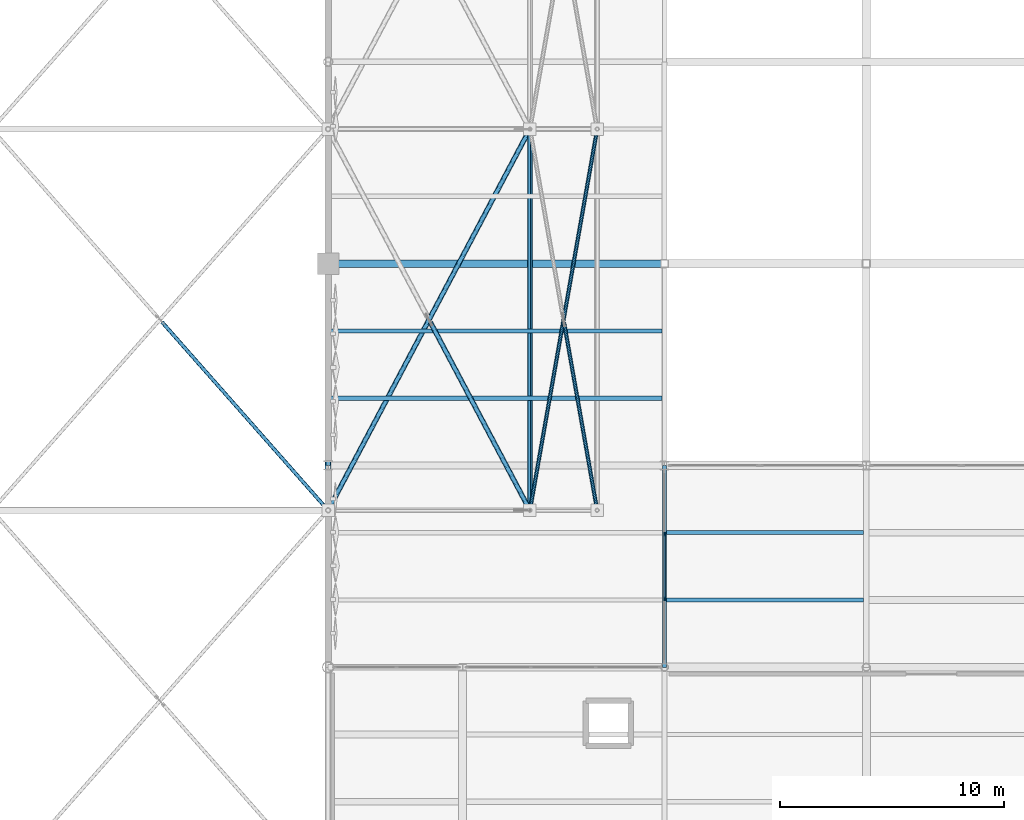
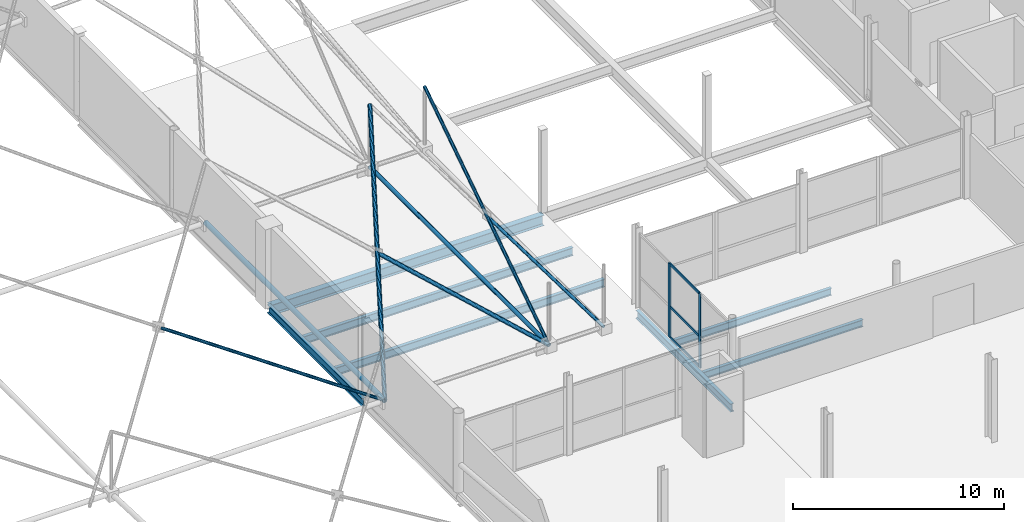
# One storey, part 133 of 224: 12 members, 7 beams, 1 element without a shape of its own.
"""IFC4 building model written with IfcOpenShell, lengths in metres."""

from ifc_helpers import new_model, si_unit, direction, frame, origin, origin_2d, place, context, subcontext, project, spatial, rectangle, hollow_circle, i_section, extrude, material, layer, layer_set, material_profile, profile_set, type_object, element, aggregate, save


model = new_model("IFC4")

# Units and contexts
model_context = context("Model", 3, precision=1e-05, world=origin(), true_north=direction((0.0, 1.0)))
body_context = subcontext(model_context, "Body", "Model", "MODEL_VIEW")
ifc_project = project(units=[si_unit("LENGTHUNIT", "METRE"), si_unit("AREAUNIT", "SQUARE_METRE"), si_unit("VOLUMEUNIT", "CUBIC_METRE"), si_unit("PLANEANGLEUNIT", "RADIAN"), si_unit("MASSUNIT", "GRAM", prefix="KILO")], contexts=[model_context])

# Site, building, storey
site_placement = place(None, origin())
site = spatial("IfcSite", under=ifc_project, at=site_placement, CompositionType="ELEMENT")
building_placement = place(site_placement, origin())
building = spatial("IfcBuilding", under=site, at=building_placement, Name="Qamarlyn Nura Convention Centre", CompositionType="ELEMENT")
storey_placement = place(building_placement, frame((0.0, 0.0, 10.800048828125)))
storey = spatial("IfcBuildingStorey", under=building, at=storey_placement, Name="L02", CompositionType="ELEMENT", Elevation=10.800048828125)

# Beams
ifc_material_1 = material(Name="Steel ASTM A992", Category="steel")
ifc_material_profile_1 = material_profile(ifc_material_1, i_section(OverallWidth=0.323974609375, OverallDepth=0.611083984375, WebThickness=0.0126953125, FlangeThickness=0.01904296875, FilletRadius=0.01611328125, at=origin_2d()), Name="W610X155")
ifc_profile_set_1 = profile_set([ifc_material_profile_1], Name="Steel ASTM A992")
beam_type_1 = type_object("IfcBeamType", Name="BM-GIRD-610", PredefinedType="BEAM", material=ifc_profile_set_1)
beam_placement = place(storey_placement, frame((120.0, 63.0, -0.450439453125), z_axis=(1.0, 0.0, 0.0), x_axis=(0.0, 1.0, 0.0)))
element("IfcBeam", 1, at=beam_placement, inside=storey, type_object=beam_type_1, Name="L02 girder H 9-11", PredefinedType="BEAM", context=body_context, shape_type="SweptSolid", body=[
    extrude(i_section(OverallWidth=0.323974609375, OverallDepth=0.611083984375, WebThickness=0.0126953125, FlangeThickness=0.01904296875, FilletRadius=0.01611328125, at=origin_2d()), origin(), (0.0, 0.0, 1.0), 15.0),
])
ifc_material_profile_2 = material_profile(ifc_material_1, i_section(OverallWidth=0.177978515625, OverallDepth=0.406982421875, WebThickness=0.0078125, FlangeThickness=0.0126953125, FilletRadius=0.011962890625, at=origin_2d()), Name="W410X60")
ifc_profile_set_2 = profile_set([ifc_material_profile_2], Name="Steel ASTM A992")
beam_type_2 = type_object("IfcBeamType", Name="BM-JOIST-410", PredefinedType="JOIST", material=ifc_profile_set_2)
for number, where, z_axis, x_axis, name in (
    (2, (135.096435546875, 48.0, -0.463623046875), (1.0, 0.0, 0.0), (0.0, 1.0, 0.0), "L02 composite joist 11-12/F+1"),
    (3, (135.096435546875, 51.0, -0.463623046875), (1.0, 0.0, 0.0), (0.0, 1.0, 0.0), "L02 composite joist 11-12/F+2"),
):
    element("IfcBeam", number, at=place(storey_placement, frame(where, z_axis=z_axis, x_axis=x_axis)), inside=storey, type_object=beam_type_2, Name=name, PredefinedType="JOIST", context=body_context, shape_type="SweptSolid", body=[
        extrude(i_section(OverallWidth=0.177978515625, OverallDepth=0.406982421875, WebThickness=0.0078125, FlangeThickness=0.0126953125, FilletRadius=0.011962890625, at=origin_2d()), origin(), (0.0, 0.0, 1.0), 8.776611328125),
    ])
ifc_material_profile_3 = material_profile(ifc_material_1, i_section(OverallWidth=0.18994140625, OverallDepth=0.45703125, WebThickness=0.009033203125, FlangeThickness=0.014404296875, FilletRadius=0.012939453125, at=origin_2d()), Name="W460X74")
ifc_profile_set_3 = profile_set([ifc_material_profile_3], Name="Steel ASTM A992")
beam_type_3 = type_object("IfcBeamType", Name="BM-JOIST-460", PredefinedType="JOIST", material=ifc_profile_set_3)
for number, where, z_axis, x_axis, name in (
    (4, (120.096435546875, 57.0, -0.448486328125), (1.0, 0.0, 0.0), (0.0, 1.0, 0.0), "L02 composite joist 9-11/G+1"),
    (5, (120.096435546875, 60.0, -0.448486328125), (1.0, 0.0, 0.0), (0.0, 1.0, 0.0), "L02 composite joist 9-11/G+2"),
):
    element("IfcBeam", number, at=place(storey_placement, frame(where, z_axis=z_axis, x_axis=x_axis)), inside=storey, type_object=beam_type_3, Name=name, PredefinedType="JOIST", context=body_context, shape_type="SweptSolid", body=[
        extrude(i_section(OverallWidth=0.18994140625, OverallDepth=0.45703125, WebThickness=0.009033203125, FlangeThickness=0.014404296875, FilletRadius=0.012939453125, at=origin_2d()), origin(), (0.0, 0.0, 1.0), 14.803466796875),
    ])
ifc_material_profile_4 = material_profile(ifc_material_1, i_section(OverallWidth=0.193115234375, OverallDepth=0.466064453125, WebThickness=0.011474609375, FlangeThickness=0.01904296875, FilletRadius=0.012939453125, at=origin_2d()), Name="W460X97")
ifc_profile_set_4 = profile_set([ifc_material_profile_4], Name="Steel ASTM A992")
beam_type_4 = type_object("IfcBeamType", Name="BM-SPAN-460", PredefinedType="SPANDREL", material=ifc_profile_set_4)
for number, where, z_axis, x_axis, name in (
    (6, (120.0, 54.0, -0.3779296875), (0.0, 1.0, 0.0), (-1.0, 0.0, 0.0), "L02 girder 9 G-H"),
    (7, (135.0, 45.0, -0.4931640625), (0.0, 1.0, 0.0), (-1.0, 0.0, 0.0), "L02 girder 11 F-G"),
):
    element("IfcBeam", number, at=place(storey_placement, frame(where, z_axis=z_axis, x_axis=x_axis)), inside=storey, type_object=beam_type_4, Name=name, PredefinedType="SPANDREL", context=body_context, shape_type="SweptSolid", body=[
        extrude(i_section(OverallWidth=0.193115234375, OverallDepth=0.466064453125, WebThickness=0.011474609375, FlangeThickness=0.01904296875, FilletRadius=0.012939453125, at=origin_2d()), origin(), (0.0, 0.0, 1.0), 9.0),
    ])

# Curtain wall, members
ifc_material_2 = material(Name="Double-silver low-E insulated glass", Category="glass")
ifc_layer = layer(ifc_material_2, 0.179931640625, Name="CW-UNIT-102")
ifc_layer_set = layer_set([ifc_layer], Name="Double-silver low-E insulated glass")
curtain_wall_type = type_object("IfcCurtainWallType", Name="CW-UNIT-102", PredefinedType="NOTDEFINED", material=ifc_layer_set)
curtain_wall_placement = place(storey_placement, origin())
curtain_wall = element("IfcCurtainWall", 8, at=curtain_wall_placement, inside=storey, type_object=curtain_wall_type, Name="L02 unitised curtain wall BLW-N-1", PredefinedType="NOTDEFINED")
ifc_material_3 = material(Name="Champagne-anodised marine aluminium", Category="aluminium")
ifc_material_profile_5 = material_profile(ifc_material_3, rectangle(XDim=0.070068359375, YDim=0.179931640625, at=origin_2d()), Name="ALU MULLION 70x180")
ifc_profile_set_5 = profile_set([ifc_material_profile_5], Name="Champagne-anodised marine aluminium")
member_type_1 = type_object("IfcMemberType", Name="CWM-180", PredefinedType="MULLION", material=ifc_profile_set_5)
member_1_placement = place(storey_placement, frame((135.0, 48.052978515625, 0.0), z_axis=(0.0, 0.0, 1.0), x_axis=(-1.0, 0.0, 0.0)))
member_1 = element("IfcMember", 9, at=member_1_placement, type_object=member_type_1, Name="CW102 mullion 2", PredefinedType="MULLION", context=body_context, shape_type="SweptSolid", body=[
    extrude(rectangle(XDim=0.070068359375, YDim=0.179931640625, at=origin_2d()), origin(), (0.0, 0.0, 1.0), 4.304931640625),
])
member_2_placement = place(storey_placement, frame((135.0, 50.92822265625, 0.0), z_axis=(0.0, 0.0, 1.0), x_axis=(-1.0, 0.0, 0.0)))
member_2 = element("IfcMember", 10, at=member_2_placement, type_object=member_type_1, Name="CW102 mullion 3", PredefinedType="MULLION", context=body_context, shape_type="SweptSolid", body=[
    extrude(rectangle(XDim=0.070068359375, YDim=0.179931640625, at=origin_2d()), origin(), (0.0, 0.0, 1.0), 4.304931640625),
])
ifc_material_profile_6 = material_profile(ifc_material_3, rectangle(XDim=0.070068359375, YDim=0.139892578125, at=origin_2d()), Name="ALU TRANSOM 70x140")
ifc_profile_set_6 = profile_set([ifc_material_profile_6], Name="Champagne-anodised marine aluminium")
member_type_2 = type_object("IfcMemberType", Name="CWT-140", PredefinedType="USERDEFINED", material=ifc_profile_set_6)
member_3_placement = place(storey_placement, frame((135.0, 48.088134765625, 0.034912109375), z_axis=(0.0, 1.0, 0.0), x_axis=(-1.0, 0.0, 0.0)))
member_3 = element("IfcMember", 11, at=member_3_placement, type_object=member_type_2, Name="CW102 transom 2.1", ObjectType="TRANSOM", PredefinedType="USERDEFINED", context=body_context, shape_type="SweptSolid", body=[
    extrude(rectangle(XDim=0.070068359375, YDim=0.139892578125, at=origin_2d()), origin(), (0.0, 0.0, 1.0), 2.80517578125),
])
member_4_placement = place(storey_placement, frame((135.0, 48.088134765625, 1.807861328125), z_axis=(0.0, 1.0, 0.0), x_axis=(-1.0, 0.0, 0.0)))
member_4 = element("IfcMember", 12, at=member_4_placement, type_object=member_type_2, Name="CW102 transom 2.2", ObjectType="TRANSOM", PredefinedType="USERDEFINED", context=body_context, shape_type="SweptSolid", body=[
    extrude(rectangle(XDim=0.070068359375, YDim=0.139892578125, at=origin_2d()), origin(), (0.0, 0.0, 1.0), 2.80517578125),
])
member_5_placement = place(storey_placement, frame((135.0, 48.088134765625, 4.27001953125), z_axis=(0.0, 1.0, 0.0), x_axis=(-1.0, 0.0, 0.0)))
member_5 = element("IfcMember", 13, at=member_5_placement, type_object=member_type_2, Name="CW102 transom 2.3", ObjectType="TRANSOM", PredefinedType="USERDEFINED", context=body_context, shape_type="SweptSolid", body=[
    extrude(rectangle(XDim=0.070068359375, YDim=0.139892578125, at=origin_2d()), origin(), (0.0, 0.0, 1.0), 2.80517578125),
])
aggregate(curtain_wall, [member_1, member_2, member_3, member_4, member_5])

# Members
ifc_material_4 = material(Name="Pearl-white PVDF steel ASTM A500 Grade C", Category="steel")
ifc_material_profile_7 = material_profile(ifc_material_4, hollow_circle(Radius=0.109619140625, WallThickness=0.010009765625, at=origin_2d()), Name="CHS219.1X10")
ifc_profile_set_7 = profile_set([ifc_material_profile_7], Name="Pearl-white PVDF steel ASTM A500 Grade C")
member_type_3 = type_object("IfcMemberType", Name="SF-BC-EAVE", PredefinedType="CHORD", material=ifc_profile_set_7)
member_6_placement = place(storey_placement, frame((129.0, 52.0, 1.005615234375), z_axis=(0.0, 1.0, 0.0), x_axis=(-1.0, 0.0, 0.0)))
element("IfcMember", 14, at=member_6_placement, inside=storey, type_object=member_type_3, Name="ROOF TRUSS space frame bottom chord Y11-4", PredefinedType="CHORD", context=body_context, shape_type="SweptSolid", body=[
    extrude(hollow_circle(Radius=0.109619140625, WallThickness=0.010009765625, at=origin_2d()), origin(), (0.0, 0.0, 1.0), 17.0),
])
ifc_material_profile_8 = material_profile(ifc_material_4, hollow_circle(Radius=0.136474609375, WallThickness=0.012451171875, at=origin_2d()), Name="CHS273X12.5")
ifc_profile_set_8 = profile_set([ifc_material_profile_8], Name="Pearl-white PVDF steel ASTM A500 Grade C")
member_type_4 = type_object("IfcMemberType", Name="SF-BC-MAIN", PredefinedType="CHORD", material=ifc_profile_set_8)
member_7_placement = place(storey_placement, frame((120.0, 52.0, 0.937255859375), z_axis=(0.0, 1.0, 0.0), x_axis=(-1.0, 0.0, 0.0)))
element("IfcMember", 15, at=member_7_placement, inside=storey, type_object=member_type_4, Name="ROOF TRUSS space frame bottom chord Y10-4", PredefinedType="CHORD", context=body_context, shape_type="SweptSolid", body=[
    extrude(hollow_circle(Radius=0.136474609375, WallThickness=0.012451171875, at=origin_2d()), origin(), (0.0, 0.0, 1.0), 17.0),
])
ifc_material_profile_9 = material_profile(ifc_material_4, hollow_circle(Radius=0.109619140625, WallThickness=0.010009765625, at=origin_2d()), Name="CHS219.1X10")
ifc_profile_set_9 = profile_set([ifc_material_profile_9], Name="Pearl-white PVDF steel ASTM A500 Grade C")
member_type_5 = type_object("IfcMemberType", Name="SF-WEB-HVY", PredefinedType="BRACE", material=ifc_profile_set_9)
member_8_placement = place(storey_placement, frame((120.0, 52.0, 0.937255859375), z_axis=(0.459605124054, 0.868143012103, 0.187325493406), x_axis=(-0.883787916347, 0.467887720419, 0.0)))
element("IfcMember", 16, at=member_8_placement, inside=storey, type_object=member_type_5, Name="ROOF TRUSS space frame diagonal A 10-4", PredefinedType="BRACE", context=body_context, shape_type="SweptSolid", body=[
    extrude(hollow_circle(Radius=0.109619140625, WallThickness=0.010009765625, at=origin_2d()), origin(), (0.0, 0.0, 1.0), 19.58203125),
])
member_9_placement = place(storey_placement, frame((129.0, 52.0, 1.005615234375), z_axis=(-0.460189222173, 0.869263194988, 0.180575130167), x_axis=(-0.883791674865, -0.467880620926, 0.0)))
element("IfcMember", 17, at=member_9_placement, inside=storey, type_object=member_type_5, Name="ROOF TRUSS space frame split diagonal B1 10-4", PredefinedType="BRACE", context=body_context, shape_type="SweptSolid", body=[
    extrude(hollow_circle(Radius=0.109619140625, WallThickness=0.010009765625, at=origin_2d()), origin(), (0.0, 0.0, 1.0), 9.638427734375),
])
ifc_material_profile_10 = material_profile(ifc_material_4, hollow_circle(Radius=0.084228515625, WallThickness=0.008056640625, at=origin_2d()), Name="CHS168.3X8")
ifc_profile_set_10 = profile_set([ifc_material_profile_10], Name="Pearl-white PVDF steel ASTM A500 Grade C")
member_type_6 = type_object("IfcMemberType", Name="SF-WEB-STD", PredefinedType="BRACE", material=ifc_profile_set_10)
member_10_placement = place(storey_placement, frame((120.0, 52.0, 0.937255859375), z_axis=(-0.654030819615, 0.741234928897, 0.151044586715), x_axis=(-0.749837855365, -0.661621637087, 0.0)))
element("IfcMember", 18, at=member_10_placement, inside=storey, type_object=member_type_6, Name="ROOF TRUSS space frame split diagonal B1 9-4", PredefinedType="BRACE", context=body_context, shape_type="SweptSolid", body=[
    extrude(hollow_circle(Radius=0.084228515625, WallThickness=0.008056640625, at=origin_2d()), origin(), (0.0, 0.0, 1.0), 11.327392578125),
])
member_11_placement = place(storey_placement, frame((129.0, 52.0, 1.005615234375), z_axis=(0.170115518808, 0.963987939911, 0.204421040911), x_axis=(-0.984783558818, 0.173785333909, 0.0)))
element("IfcMember", 19, at=member_11_placement, inside=storey, type_object=member_type_6, Name="ROOF TRUSS space frame diagonal A 11-4", PredefinedType="BRACE", context=body_context, shape_type="SweptSolid", body=[
    extrude(hollow_circle(Radius=0.084228515625, WallThickness=0.008056640625, at=origin_2d()), origin(), (0.0, 0.0, 1.0), 17.635009765625),
])
member_12_placement = place(storey_placement, frame((132.0, 52.0, 1.0107421875), z_axis=(-0.170151850507, 0.964100025453, 0.203861444836), x_axis=(-0.984780665211, -0.17380173022, 0.0)))
element("IfcMember", 20, at=member_12_placement, inside=storey, type_object=member_type_6, Name="ROOF TRUSS space frame split diagonal B1 11-4", PredefinedType="BRACE", context=body_context, shape_type="SweptSolid", body=[
    extrude(hollow_circle(Radius=0.084228515625, WallThickness=0.008056640625, at=origin_2d()), origin(), (0.0, 0.0, 1.0), 8.676513671875),
])

save(model, "model.ifc")
